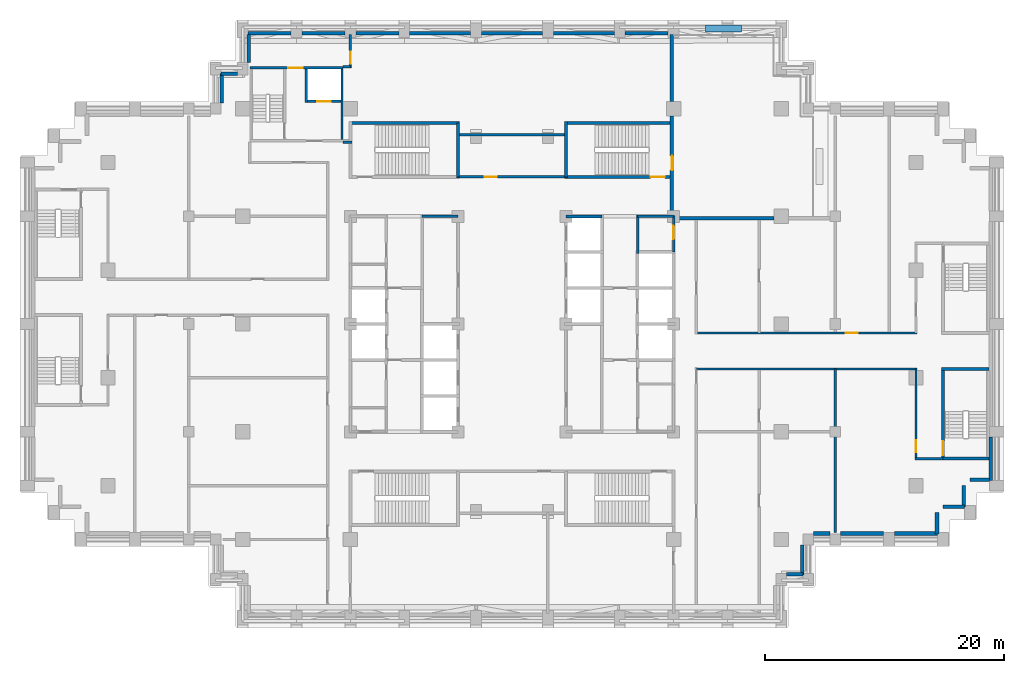
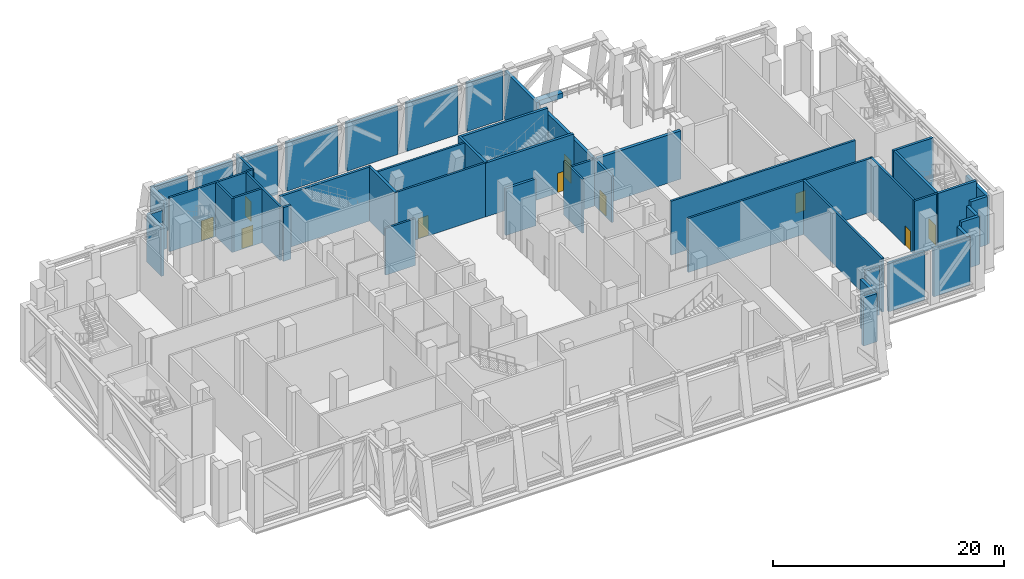
# One storey, part 8 of 14: 51 walls, 10 doors, 10 openings.
"""IFC4 building model written with IfcOpenShell, lengths in metres."""

import ifcopenshell
import ifcopenshell.guid

model = None  # the IFC model being written
_history = None  # IfcOwnerHistory: only IFC2X3 demands one
_inside = {}  # id of a spatial element -> (the spatial element, [elements in it])
_under = {}  # id of a project, library or spatial element -> (it, [spatial elements below it])
_declared = {}  # id of a project -> (the project, [libraries it declares])
_typed = {}  # id of a type object -> (the type object, [elements of that type])
_made_of = {}  # id of a material, layer set ... -> (it, [elements and type objects made of it])


def new_model(schema):
    """Start an empty IFC model of exactly this schema.

    Asked for "IFC4X3", IfcOpenShell would pick the latest addendum, in which some entities
    have other attributes; the version numbers below select the first issue.
    IFC2X3 requires an IfcOwnerHistory on every rooted entity: one is made here for all.
    """
    global model, _history
    if schema == "IFC4X3":
        model = ifcopenshell.file(schema_version=(4, 3, 0, 0))
    else:
        model = ifcopenshell.file(schema=schema)
    _inside.clear()
    _under.clear()
    _declared.clear()
    _typed.clear()
    _made_of.clear()
    _history = None
    if model.schema == "IFC2X3":
        org = make("IfcOrganization", Name="unknown")
        user = make(
            "IfcPersonAndOrganization",
            ThePerson=make("IfcPerson", FamilyName="unknown"),
            TheOrganization=org,
        )
        app = make(
            "IfcApplication",
            ApplicationDeveloper=org,
            Version="unknown",
            ApplicationFullName="unknown",
            ApplicationIdentifier="unknown",
        )
        _history = make(
            "IfcOwnerHistory",
            OwningUser=user,
            OwningApplication=app,
            ChangeAction="ADDED",
            CreationDate=0,
        )
    return model


def make(cls, **values):
    """One entity of the class cls with the attributes given. An attribute that is None is left unset."""
    return model.create_entity(
        cls, **{name: value for name, value in values.items() if value is not None}
    )


def rooted(cls, **values):
    """An entity with a GlobalId (a new one), such as an element, a storey or a relation."""
    return make(cls, GlobalId=ifcopenshell.guid.new(), OwnerHistory=_history, **values)


def si_unit(unit_type, name, prefix=None):
    """IfcSIUnit, for example si_unit("LENGTHUNIT", "METRE", prefix="MILLI")."""
    return make("IfcSIUnit", UnitType=unit_type, Prefix=prefix, Name=name)


def assignment(units):
    """IfcUnitAssignment: the units of a project."""
    return None if units is None else make("IfcUnitAssignment", Units=units)


def point(xyz):
    """IfcCartesianPoint."""
    return None if xyz is None else make("IfcCartesianPoint", Coordinates=xyz)


def direction(xyz):
    """IfcDirection."""
    return None if xyz is None else make("IfcDirection", DirectionRatios=xyz)


def frame(location, z_axis=None, x_axis=None):
    """IfcAxis2Placement3D, a coordinate frame: its origin and axes. An axis left out is left unset."""
    return make(
        "IfcAxis2Placement3D",
        Location=point(location),
        Axis=direction(z_axis),
        RefDirection=direction(x_axis),
    )


def frame_2d(location, x_axis=None):
    """IfcAxis2Placement2D, a coordinate frame in the plane: its origin and x axis."""
    return make(
        "IfcAxis2Placement2D", Location=point(location), RefDirection=direction(x_axis)
    )


def origin():
    """The frame at (0, 0, 0) with its axes left unset."""
    return frame((0.0, 0.0, 0.0))


def place(relative_to, where):
    """IfcLocalPlacement: puts the frame where relative to a parent placement (None: the world)."""
    return make(
        "IfcLocalPlacement", PlacementRelTo=relative_to, RelativePlacement=where
    )


def context(
    kind, dimensions, precision=None, world=None, true_north=None, identifier=None
):
    """IfcGeometricRepresentationContext, for example the 3D "Model" context."""
    return make(
        "IfcGeometricRepresentationContext",
        ContextIdentifier=identifier,
        ContextType=kind,
        CoordinateSpaceDimension=dimensions,
        Precision=precision,
        WorldCoordinateSystem=world,
        TrueNorth=true_north,
    )


def subcontext(parent, identifier, kind, view, scale=None):
    """IfcGeometricRepresentationSubContext, for example "Body" below "Model"."""
    return make(
        "IfcGeometricRepresentationSubContext",
        ContextIdentifier=identifier,
        ContextType=kind,
        ParentContext=parent,
        TargetScale=scale,
        TargetView=view,
    )


def project(units=None, contexts=None):
    """IfcProject with its units and contexts."""
    return rooted(
        "IfcProject",
        Name="project",
        RepresentationContexts=contexts,
        UnitsInContext=assignment(units),
    )


def spatial(cls, under=None, at=None, **own):
    """A site, building, storey or space (cls), placed at a placement, below another one or the project."""
    s = rooted(cls, ObjectPlacement=at, **own)
    if under is not None:
        _under.setdefault(under.id(), (under, []))[1].append(s)
    return s


def profile(cls, at=None, kind="AREA", **sizes):
    """A parametric profile (cls). Its sizes go by their IFC names, for example OverallWidth=200.0."""
    return make(cls, ProfileType=kind, Position=at, **sizes)


def rectangle(**sizes):
    """IfcRectangleProfileDef."""
    return profile("IfcRectangleProfileDef", **sizes)


def extrude(swept, where, along, depth):
    """IfcExtrudedAreaSolid: the profile swept, set in the frame where, extruded along a direction by depth."""
    return make(
        "IfcExtrudedAreaSolid",
        SweptArea=swept,
        Position=where,
        ExtrudedDirection=direction(along),
        Depth=depth,
    )


def shape(context_of_items, identifier, shape_type, items):
    """IfcShapeRepresentation: the items that make up one representation, for example the "Body"."""
    return make(
        "IfcShapeRepresentation",
        ContextOfItems=context_of_items,
        RepresentationIdentifier=identifier,
        RepresentationType=shape_type,
        Items=items,
    )


def material(Name=None, Category=None):
    """IfcMaterial."""
    return make("IfcMaterial", Name=Name, Category=Category)


def layer(
    of_material, thickness, ventilated=None, Name=None, Category=None, Priority=None
):
    """IfcMaterialLayer: one layer of a wall or slab, of a material (None: an air gap)."""
    return make(
        "IfcMaterialLayer",
        Material=of_material,
        LayerThickness=thickness,
        IsVentilated=ventilated,
        Name=Name,
        Category=Category,
        Priority=Priority,
    )


def layer_set(layers, Name=None):
    """IfcMaterialLayerSet."""
    return make("IfcMaterialLayerSet", MaterialLayers=layers, LayerSetName=Name)


def made_of(thing, what):
    """Note that an element or type object is made of a material, layer set ...; save() writes the relation."""
    if what is not None:
        _made_of.setdefault(what.id(), (what, []))[1].append(thing)
    return thing


def type_object(cls, material=None, **own):
    """A type object (cls), such as IfcWallType, which elements share."""
    return made_of(rooted(cls, **own), material)


def element(
    cls,
    number,
    at=None,
    inside=None,
    cuts=None,
    type_object=None,
    material=None,
    context=None,
    identifier="Body",
    shape_type=None,
    held_by="IfcProductDefinitionShape",
    body=None,
    shapes=None,
    **own,
):
    """One element of the class cls, such as IfcWall. Its Tag is "e" and its number.

    at: its placement. inside: the storey or other place that contains it. cuts: it is an
    opening in that element (IfcRelVoidsElement). A single representation is given by context,
    identifier, shape_type and body (its items); several are given by shapes. held_by: the class
    of the entity that holds the representations. save() writes the other relations.
    """
    e = rooted(cls, Tag="e%d" % number, ObjectPlacement=at, **own)
    if body is not None:
        shapes = [shape(context, identifier, shape_type, body)]
    if shapes is not None:
        e.Representation = make(held_by, Representations=shapes)
    if inside is not None:
        _inside.setdefault(inside.id(), (inside, []))[1].append(e)
    if cuts is not None:
        rooted(
            "IfcRelVoidsElement", RelatingBuildingElement=cuts, RelatedOpeningElement=e
        )
    if type_object is not None:
        _typed.setdefault(type_object.id(), (type_object, []))[1].append(e)
    return made_of(e, material)


def fill(opening, filler):
    """IfcRelFillsElement: the door or window that sits in an opening."""
    return rooted(
        "IfcRelFillsElement",
        RelatingOpeningElement=opening,
        RelatedBuildingElement=filler,
    )


def aggregate(whole, parts):
    """IfcRelAggregates: a whole, such as a stair, and the parts it consists of."""
    return rooted("IfcRelAggregates", RelatingObject=whole, RelatedObjects=parts)


def save(model, path):
    """Write the relations noted so far, then the file.

    IfcRelAggregates (storeys below a building ...), IfcRelContainedInSpatialStructure (elements
    in a storey), IfcRelDefinesByType, IfcRelAssociatesMaterial and IfcRelDeclares: one each for
    every whole, place, type object, material and project.
    """
    for whole, parts in _under.values():
        aggregate(whole, parts)
    for where, things in _inside.values():
        rooted(
            "IfcRelContainedInSpatialStructure",
            RelatedElements=things,
            RelatingStructure=where,
        )
    for kind, things in _typed.values():
        rooted("IfcRelDefinesByType", RelatedObjects=things, RelatingType=kind)
    for what, things in _made_of.values():
        rooted("IfcRelAssociatesMaterial", RelatedObjects=things, RelatingMaterial=what)
    for by, libraries in _declared.values():
        rooted("IfcRelDeclares", RelatingContext=by, RelatedDefinitions=libraries)
    model.write(path)


model = new_model("IFC4")

# Units and contexts
model_context = context("Model", 3, precision=1e-05, world=origin(), true_north=direction((0.0, 1.0)))
body_context = subcontext(model_context, "Body", "Model", "MODEL_VIEW")
ifc_project = project(units=[si_unit("LENGTHUNIT", "METRE"), si_unit("AREAUNIT", "SQUARE_METRE"), si_unit("VOLUMEUNIT", "CUBIC_METRE"), si_unit("PLANEANGLEUNIT", "RADIAN"), si_unit("MASSUNIT", "GRAM", prefix="KILO")], contexts=[model_context])

# Site, building, storey
site_placement = place(None, origin())
site = spatial("IfcSite", under=ifc_project, at=site_placement, CompositionType="ELEMENT")
building_placement = place(site_placement, origin())
building = spatial("IfcBuilding", under=site, at=building_placement, Name="Corbelhall Arena Tower", CompositionType="ELEMENT")
storey_placement = place(building_placement, frame((0.0, 0.0, 120.0)))
storey = spatial("IfcBuildingStorey", under=building, at=storey_placement, Name="L22", CompositionType="ELEMENT", Elevation=120.0)

# Walls
ifc_material_1 = material(Name="Precast concrete C40/50 with granite facing", Category="masonry")
ifc_layer_1 = layer(ifc_material_1, 0.300048828125)
ifc_layer_set_1 = layer_set([ifc_layer_1], Name="EV-IW1 Infill panel 300")
wall_type_1 = type_object("IfcWallType", Name="EV-IW1 Infill panel 300", PredefinedType="SOLIDWALL", material=ifc_layer_set_1)
for number, where, z_axis, x_axis, name in (
    (1, (35.5, -17.550048828125, 0.0), (0.0, 0.0, 1.0), (0.0, 1.0, 0.0), "Infill panel IW1"),
    (2, (37.800048828125, -15.25, 0.0), (0.0, 0.0, 1.0), (-1.0, 0.0, 0.0), "Infill panel IW1"),
    (3, (37.75, -15.300048828125, 0.0), (0.0, 0.0, 1.0), (0.0, 1.0, 0.0), "Infill panel IW1"),
):
    element("IfcWall", number, at=place(storey_placement, frame(where, z_axis=z_axis, x_axis=x_axis)), inside=storey, type_object=wall_type_1, Name=name, PredefinedType="SOLIDWALL", context=body_context, shape_type="SweptSolid", body=[
        extrude(rectangle(XDim=1.800048828125, YDim=0.300048828125, at=frame_2d((0.89990234375, 0.0))), origin(), (0.0, 0.0, 1.0), 5.10009765625),
    ])
wall_1_placement = place(storey_placement, frame((39.89990234375, -13.0, 0.0), z_axis=(0.0, 0.0, 1.0), x_axis=(-1.0, 0.0, 0.0)))
element("IfcWall", 4, at=wall_1_placement, inside=storey, type_object=wall_type_1, Name="Infill panel IW1", PredefinedType="SOLIDWALL", context=body_context, shape_type="SweptSolid", body=[
    extrude(rectangle(XDim=1.64990234375, YDim=0.300048828125, at=frame_2d((0.824951171875, 0.0))), origin(), (0.0, 0.0, 1.0), 5.10009765625),
])
wall_2_placement = place(storey_placement, frame((-22.949951171875, 20.89990234375, 0.0), z_axis=(0.0, 0.0, 1.0), x_axis=(-1.0, 0.0, 0.0)))
element("IfcWall", 5, at=wall_2_placement, inside=storey, type_object=wall_type_1, Name="Infill panel IW1", PredefinedType="SOLIDWALL", context=body_context, shape_type="SweptSolid", body=[
    extrude(rectangle(XDim=1.35009765625, YDim=0.300048828125, at=frame_2d((0.675048828125, 0.0))), origin(), (0.0, 0.0, 1.0), 5.10009765625),
])
wall_3_placement = place(storey_placement, frame((-24.25, 20.949951171875, 0.0), z_axis=(0.0, 0.0, 1.0), x_axis=(0.0, -1.0, 0.0)))
element("IfcWall", 6, at=wall_3_placement, inside=storey, type_object=wall_type_1, Name="Infill panel IW1", PredefinedType="SOLIDWALL", context=body_context, shape_type="SweptSolid", body=[
    extrude(rectangle(XDim=2.5, YDim=0.300048828125, at=frame_2d((1.25, 0.0))), origin(), (0.0, 0.0, 1.0), 5.10009765625),
])
wall_4_placement = place(storey_placement, frame((22.949951171875, -20.89990234375, 0.0), z_axis=(0.0, 0.0, 1.0), x_axis=(1.0, 0.0, 0.0)))
element("IfcWall", 7, at=wall_4_placement, inside=storey, type_object=wall_type_1, Name="Infill panel IW1", PredefinedType="SOLIDWALL", context=body_context, shape_type="SweptSolid", body=[
    extrude(rectangle(XDim=1.35009765625, YDim=0.300048828125, at=frame_2d((0.675048828125, 0.0))), origin(), (0.0, 0.0, 1.0), 5.10009765625),
])
wall_5_placement = place(storey_placement, frame((24.25, -20.949951171875, 0.0), z_axis=(0.0, 0.0, 1.0), x_axis=(0.0, 1.0, 0.0)))
element("IfcWall", 8, at=wall_5_placement, inside=storey, type_object=wall_type_1, Name="Infill panel IW1", PredefinedType="SOLIDWALL", context=body_context, shape_type="SweptSolid", body=[
    extrude(rectangle(XDim=2.5, YDim=0.300048828125, at=frame_2d((1.25, 0.0))), origin(), (0.0, 0.0, 1.0), 5.10009765625),
])
wall_6_placement = place(storey_placement, frame((25.199951171875, -17.5, 0.0), z_axis=(0.0, 0.0, 1.0), x_axis=(1.0, 0.0, 0.0)))
element("IfcWall", 9, at=wall_6_placement, inside=storey, type_object=wall_type_1, Name="Infill panel IW1", PredefinedType="SOLIDWALL", context=body_context, shape_type="SweptSolid", body=[
    extrude(rectangle(XDim=1.35009765625, YDim=0.300048828125, at=frame_2d((0.675048828125, 0.0))), origin(), (0.0, 0.0, 1.0), 5.10009765625),
])
for number, where, z_axis, x_axis, name in (
    (10, (27.449951171875, -17.5, 0.0), (0.0, 0.0, 1.0), (1.0, 0.0, 0.0), "Infill panel IW1"),
    (11, (31.949951171875, -17.5, 0.0), (0.0, 0.0, 1.0), (1.0, 0.0, 0.0), "Infill panel IW1"),
    (12, (40.0, -13.050048828125, 0.0), (0.0, 0.0, 1.0), (0.0, 1.0, 0.0), "Infill panel IW1"),
    (13, (13.050048828125, 24.300048828125, 0.0), (0.0, 0.0, 1.0), (-1.0, 0.0, 0.0), "Infill panel IW1"),
):
    element("IfcWall", number, at=place(storey_placement, frame(where, z_axis=z_axis, x_axis=x_axis)), inside=storey, type_object=wall_type_1, Name=name, PredefinedType="SOLIDWALL", context=body_context, shape_type="SweptSolid", body=[
        extrude(rectangle(XDim=3.60009765625, YDim=0.300048828125, at=frame_2d((1.800048828125, 0.0))), origin(), (0.0, 0.0, 1.0), 5.10009765625),
    ])
for number, where, z_axis, x_axis, name in (
    (14, (8.550048828125, 24.300048828125, 0.0), (0.0, 0.0, 1.0), (-1.0, 0.0, 0.0), "Infill panel IW1"),
    (15, (2.550048828125, 24.300048828125, 0.0), (0.0, 0.0, 1.0), (-1.0, 0.0, 0.0), "Infill panel IW1"),
    (16, (-3.449951171875, 24.300048828125, 0.0), (0.0, 0.0, 1.0), (-1.0, 0.0, 0.0), "Infill panel IW1"),
):
    element("IfcWall", number, at=place(storey_placement, frame(where, z_axis=z_axis, x_axis=x_axis)), inside=storey, type_object=wall_type_1, Name=name, PredefinedType="SOLIDWALL", context=body_context, shape_type="SweptSolid", body=[
        extrude(rectangle(XDim=5.10009765625, YDim=0.300048828125, at=frame_2d((2.550048828125, 0.0))), origin(), (0.0, 0.0, 1.0), 5.10009765625),
    ])
for number, where, z_axis, x_axis, name in (
    (17, (-9.449951171875, 24.300048828125, 0.0), (0.0, 0.0, 1.0), (-1.0, 0.0, 0.0), "Infill panel IW1"),
    (18, (-13.949951171875, 24.300048828125, 0.0), (0.0, 0.0, 1.0), (-1.0, 0.0, 0.0), "Infill panel IW1"),
    (19, (-18.449951171875, 24.300048828125, 0.0), (0.0, 0.0, 1.0), (-1.0, 0.0, 0.0), "Infill panel IW1"),
):
    element("IfcWall", number, at=place(storey_placement, frame(where, z_axis=z_axis, x_axis=x_axis)), inside=storey, type_object=wall_type_1, Name=name, PredefinedType="SOLIDWALL", context=body_context, shape_type="SweptSolid", body=[
        extrude(rectangle(XDim=3.60009765625, YDim=0.300048828125, at=frame_2d((1.800048828125, 0.0))), origin(), (0.0, 0.0, 1.0), 5.10009765625),
    ])
wall_7_placement = place(storey_placement, frame((-22.0, 24.199951171875, 0.0), z_axis=(0.0, 0.0, 1.0), x_axis=(0.0, -1.0, 0.0)))
element("IfcWall", 20, at=wall_7_placement, inside=storey, type_object=wall_type_1, Name="Infill panel IW1", PredefinedType="SOLIDWALL", context=body_context, shape_type="SweptSolid", body=[
    extrude(rectangle(XDim=2.349853515625, YDim=0.300048828125, at=frame_2d((1.1748046875, 0.0))), origin(), (0.0, 0.0, 1.0), 5.10009765625),
])

# Wall, opening, door
wall_8_placement = place(storey_placement, frame((13.35009765625, 17.39990234375, 0.0), z_axis=(0.0, 0.0, 1.0), x_axis=(0.0, -1.0, 0.0)))
wall_8 = element("IfcWall", 21, at=wall_8_placement, inside=storey, type_object=wall_type_1, Name="Infill panel IW1", PredefinedType="SOLIDWALL", context=body_context, shape_type="SweptSolid", body=[
    extrude(rectangle(XDim=8.349853515625, YDim=0.300048828125, at=frame_2d((4.1748046875, 0.0))), origin(), (0.0, 0.0, 1.0), 5.10009765625),
])
opening_1_placement = place(wall_8_placement, frame((3.35009765625, 0.0, 0.0)))
opening_1 = element("IfcOpeningElement", 22, at=opening_1_placement, cuts=wall_8, Name="Opening ED1", PredefinedType="OPENING", context=body_context, shape_type="SweptSolid", body=[
    extrude(rectangle(XDim=1.199951171875, YDim=2.39990234375, at=frame_2d((0.60009765625, 1.199951171875))), frame((0.0, 0.14990234375, 0.0), z_axis=(0.0, -1.0, 0.0), x_axis=(1.0, 0.0, 0.0)), (0.0, 0.0, 1.0), 0.300048828125),
])
ifc_material_2 = material(Name="Aluminium black anodised", Category="aluminium")
door_type_1 = type_object("IfcDoorType", Name="EV-ED1 Terrace door", OperationType="SINGLE_SWING_LEFT", PredefinedType="DOOR", material=ifc_material_2)
door_1_placement = place(opening_1_placement, origin())
door_1 = element("IfcDoor", 23, at=door_1_placement, inside=storey, type_object=door_type_1, Name="Terrace door", OperationType="SINGLE_SWING_LEFT", OverallHeight=2.39990234375, OverallWidth=1.199951171875, PredefinedType="DOOR", context=body_context, shape_type="SweptSolid", body=[
    extrude(rectangle(XDim=1.199951171875, YDim=2.39990234375, at=frame_2d((0.60009765625, 1.199951171875))), frame((0.0, 0.02490234375, 0.0), z_axis=(0.0, -1.0, 0.0), x_axis=(1.0, 0.0, 0.0)), (0.0, 0.0, 1.0), 0.050048828125),
])
fill(opening_1, door_1)

# Walls
wall_9_placement = place(storey_placement, frame((13.35009765625, 18.60009765625, 0.0), z_axis=(0.0, 0.0, 1.0), x_axis=(0.0, 1.0, 0.0)))
element("IfcWall", 24, at=wall_9_placement, inside=storey, type_object=wall_type_1, Name="Infill panel IW1", PredefinedType="SOLIDWALL", context=body_context, shape_type="SweptSolid", body=[
    extrude(rectangle(XDim=5.599853515625, YDim=0.300048828125, at=frame_2d((2.7998046875, 0.0))), origin(), (0.0, 0.0, 1.0), 5.10009765625),
])
wall_10_placement = place(storey_placement, frame((21.89990234375, 8.85009765625, 0.0), z_axis=(0.0, 0.0, 1.0), x_axis=(-1.0, 0.0, 0.0)))
element("IfcWall", 25, at=wall_10_placement, inside=storey, type_object=wall_type_1, Name="Infill panel IW1", PredefinedType="SOLIDWALL", context=body_context, shape_type="SweptSolid", body=[
    extrude(rectangle(XDim=8.349853515625, YDim=0.300048828125, at=frame_2d((4.1748046875, 0.0))), origin(), (0.0, 0.0, 1.0), 5.10009765625),
])
ifc_layer_2 = layer(ifc_material_1, 0.60009765625)
ifc_layer_set_2 = layer_set([ifc_layer_2], Name="EV-PL1 Planter box")
wall_type_2 = type_object("IfcWallType", Name="EV-PL1 Planter box", PredefinedType="SOLIDWALL", material=ifc_layer_set_2)
wall_11_placement = place(storey_placement, frame((16.169921875, 24.68994140625, 0.0), z_axis=(0.0, 0.0, 1.0), x_axis=(1.0, 0.0, 0.0)))
element("IfcWall", 26, at=wall_11_placement, inside=storey, type_object=wall_type_2, Name="PLANTER", PredefinedType="SOLIDWALL", context=body_context, shape_type="SweptSolid", body=[
    extrude(rectangle(XDim=3.0, YDim=0.60009765625, at=frame_2d((1.5, 0.0))), origin(), (0.0, 0.0, 1.0), 0.5400390625),
])
ifc_material_3 = material(Name="Gypsum board on steel stud, acoustic", Category="steel")
ifc_layer_3 = layer(ifc_material_3, 0.199951171875)
ifc_layer_set_3 = layer_set([ifc_layer_3], Name="IN-W-DM200")
wall_type_3 = type_object("IfcWallType", Name="IN-W-DM200", PredefinedType="PARTITIONING", material=ifc_layer_set_3)
wall_12_placement = place(storey_placement, frame((-14.10009765625, 15.199951171875, 0.0), z_axis=(0.0, 0.0, 1.0), x_axis=(1.0, 0.0, 0.0)))
element("IfcWall", 27, at=wall_12_placement, inside=storey, type_object=wall_type_3, Name="Partition 018", PredefinedType="PARTITIONING", context=body_context, shape_type="SweptSolid", body=[
    extrude(rectangle(XDim=0.72509765625, YDim=0.199951171875, at=frame_2d((0.362548828125, 0.0))), origin(), (0.0, 0.0, 1.0), 5.699951171875),
])
wall_13_placement = place(storey_placement, frame((-13.5, 21.5, 0.0), z_axis=(0.0, 0.0, 1.0), x_axis=(-1.0, 0.0, 0.0)))
element("IfcWall", 28, at=wall_13_placement, inside=storey, type_object=wall_type_3, Name="Partition 020", PredefinedType="PARTITIONING", context=body_context, shape_type="SweptSolid", body=[
    extrude(rectangle(XDim=0.60009765625, YDim=0.199951171875, at=frame_2d((0.300048828125, 0.0))), origin(), (0.0, 0.0, 1.0), 5.699951171875),
])

# Wall, opening, door
wall_14_placement = place(storey_placement, frame((-13.5, 24.199951171875, 0.0), z_axis=(0.0, 0.0, 1.0), x_axis=(0.0, -1.0, 0.0)))
wall_14 = element("IfcWall", 29, at=wall_14_placement, inside=storey, type_object=wall_type_3, Name="Partition 021", PredefinedType="PARTITIONING", context=body_context, shape_type="SweptSolid", body=[
    extrude(rectangle(XDim=2.800048828125, YDim=0.199951171875, at=frame_2d((1.39990234375, 0.0))), origin(), (0.0, 0.0, 1.0), 5.699951171875),
])
opening_2_placement = place(wall_14_placement, frame((1.449951171875, 0.0, 0.0)))
opening_2 = element("IfcOpeningElement", 30, at=opening_2_placement, cuts=wall_14, Name="Opening 26024", PredefinedType="OPENING", context=body_context, shape_type="SweptSolid", body=[
    extrude(rectangle(XDim=1.0, YDim=2.10009765625, at=frame_2d((0.5, 1.050048828125))), frame((0.0, 0.10009765625, 0.0), z_axis=(0.0, -1.0, 0.0), x_axis=(1.0, 0.0, 0.0)), (0.0, 0.0, 1.0), 0.199951171875),
])
ifc_material_4 = material(Name="Steel door set", Category="steel")
door_type_2 = type_object("IfcDoorType", Name="IN-D-SW100", OperationType="NOTDEFINED", PredefinedType="DOOR", material=ifc_material_4)
door_2_placement = place(opening_2_placement, origin())
door_2 = element("IfcDoor", 31, at=door_2_placement, inside=storey, type_object=door_type_2, Name="Door 024", OperationType="SINGLE_SWING_LEFT", OverallHeight=2.10009765625, OverallWidth=1.0, PredefinedType="DOOR", context=body_context, shape_type="SweptSolid", body=[
    extrude(rectangle(XDim=1.0, YDim=2.10009765625, at=frame_2d((0.5, 1.050048828125))), frame((0.0, 0.02490234375, 0.0), z_axis=(0.0, -1.0, 0.0), x_axis=(1.0, 0.0, 0.0)), (0.0, 0.0, 1.0), 0.050048828125),
])
fill(opening_2, door_2)

wall_15_placement = place(storey_placement, frame((-4.625, 12.300048828125, 0.0), z_axis=(0.0, 0.0, 1.0), x_axis=(1.0, 0.0, 0.0)))
wall_15 = element("IfcWall", 32, at=wall_15_placement, inside=storey, type_object=wall_type_3, Name="Partition 022", PredefinedType="PARTITIONING", context=body_context, shape_type="SweptSolid", body=[
    extrude(rectangle(XDim=9.25, YDim=0.199951171875, at=frame_2d((4.625, 0.0))), origin(), (0.0, 0.0, 1.0), 5.699951171875),
])
opening_3_placement = place(wall_15_placement, frame((2.35009765625, 0.0, 0.0)))
opening_3 = element("IfcOpeningElement", 33, at=opening_3_placement, cuts=wall_15, Name="Opening 26022", PredefinedType="OPENING", context=body_context, shape_type="SweptSolid", body=[
    extrude(rectangle(XDim=1.0, YDim=2.10009765625, at=frame_2d((0.5, 1.050048828125))), frame((0.0, 0.10009765625, 0.0), z_axis=(0.0, -1.0, 0.0), x_axis=(1.0, 0.0, 0.0)), (0.0, 0.0, 1.0), 0.199951171875),
])
door_3_placement = place(opening_3_placement, origin())
door_3 = element("IfcDoor", 34, at=door_3_placement, inside=storey, type_object=door_type_2, Name="Door 022", OperationType="SINGLE_SWING_LEFT", OverallHeight=2.10009765625, OverallWidth=1.0, PredefinedType="DOOR", context=body_context, shape_type="SweptSolid", body=[
    extrude(rectangle(XDim=1.0, YDim=2.10009765625, at=frame_2d((0.5, 1.050048828125))), frame((0.0, 0.02490234375, 0.0), z_axis=(0.0, -1.0, 0.0), x_axis=(1.0, 0.0, 0.0)), (0.0, 0.0, 1.0), 0.050048828125),
])
fill(opening_3, door_3)

# Wall
wall_16_placement = place(storey_placement, frame((-4.5, 15.800048828125, 0.0), z_axis=(0.0, 0.0, 1.0), x_axis=(1.0, 0.0, 0.0)))
element("IfcWall", 35, at=wall_16_placement, inside=storey, type_object=wall_type_3, Name="Partition 023", PredefinedType="PARTITIONING", context=body_context, shape_type="SweptSolid", body=[
    extrude(rectangle(XDim=9.0, YDim=0.199951171875, at=frame_2d((4.5, 0.0))), origin(), (0.0, 0.0, 1.0), 5.699951171875),
])

# Wall, opening, door
wall_17_placement = place(storey_placement, frame((15.39990234375, -0.75, 0.0), z_axis=(0.0, 0.0, 1.0), x_axis=(1.0, 0.0, 0.0)))
wall_17 = element("IfcWall", 36, at=wall_17_placement, inside=storey, type_object=wall_type_3, Name="Partition 030", PredefinedType="PARTITIONING", context=body_context, shape_type="SweptSolid", body=[
    extrude(rectangle(XDim=18.4501953125, YDim=0.199951171875, at=frame_2d((9.22509765625, 0.0))), origin(), (0.0, 0.0, 1.0), 5.699951171875),
])
opening_4_placement = place(wall_17_placement, frame((12.5, 0.0, 0.0)))
opening_4 = element("IfcOpeningElement", 37, at=opening_4_placement, cuts=wall_17, Name="Opening 26042", PredefinedType="OPENING", context=body_context, shape_type="SweptSolid", body=[
    extrude(rectangle(XDim=1.0, YDim=2.10009765625, at=frame_2d((0.5, 1.050048828125))), frame((0.0, 0.10009765625, 0.0), z_axis=(0.0, -1.0, 0.0), x_axis=(1.0, 0.0, 0.0)), (0.0, 0.0, 1.0), 0.199951171875),
])
door_4_placement = place(opening_4_placement, origin())
door_4 = element("IfcDoor", 38, at=door_4_placement, inside=storey, type_object=door_type_2, Name="Door 042", OperationType="SINGLE_SWING_LEFT", OverallHeight=2.10009765625, OverallWidth=1.0, PredefinedType="DOOR", context=body_context, shape_type="SweptSolid", body=[
    extrude(rectangle(XDim=1.0, YDim=2.10009765625, at=frame_2d((0.5, 1.050048828125))), frame((0.0, 0.02490234375, 0.0), z_axis=(0.0, -1.0, 0.0), x_axis=(1.0, 0.0, 0.0)), (0.0, 0.0, 1.0), 0.050048828125),
])
fill(opening_4, door_4)

# Walls
wall_18_placement = place(storey_placement, frame((33.85009765625, -3.75, 0.0), z_axis=(0.0, 0.0, 1.0), x_axis=(-1.0, 0.0, 0.0)))
element("IfcWall", 39, at=wall_18_placement, inside=storey, type_object=wall_type_3, Name="Partition 034", PredefinedType="PARTITIONING", context=body_context, shape_type="SweptSolid", body=[
    extrude(rectangle(XDim=18.4501953125, YDim=0.199951171875, at=frame_2d((9.22509765625, 0.0))), origin(), (0.0, 0.0, 1.0), 5.699951171875),
])
wall_19_placement = place(storey_placement, frame((27.0, -3.75, 0.0), z_axis=(0.0, 0.0, 1.0), x_axis=(0.0, -1.0, 0.0)))
element("IfcWall", 40, at=wall_19_placement, inside=storey, type_object=wall_type_3, Name="Partition 035", PredefinedType="PARTITIONING", context=body_context, shape_type="SweptSolid", body=[
    extrude(rectangle(XDim=13.64990234375, YDim=0.199951171875, at=frame_2d((6.824951171875, 0.0))), origin(), (0.0, 0.0, 1.0), 5.699951171875),
])

# Wall, opening, door
wall_20_placement = place(storey_placement, frame((33.75, -11.25, 0.0), z_axis=(0.0, 0.0, 1.0), x_axis=(0.0, 1.0, 0.0)))
wall_20 = element("IfcWall", 41, at=wall_20_placement, inside=storey, type_object=wall_type_3, Name="Partition 039", PredefinedType="PARTITIONING", context=body_context, shape_type="SweptSolid", body=[
    extrude(rectangle(XDim=7.5, YDim=0.199951171875, at=frame_2d((3.75, 0.0))), origin(), (0.0, 0.0, 1.0), 5.699951171875),
])
opening_5_placement = place(wall_20_placement, frame((0.550048828125, 0.0, 0.0)))
opening_5 = element("IfcOpeningElement", 42, at=opening_5_placement, cuts=wall_20, Name="Opening 26044", PredefinedType="OPENING", context=body_context, shape_type="SweptSolid", body=[
    extrude(rectangle(XDim=1.0, YDim=2.10009765625, at=frame_2d((0.5, 1.050048828125))), frame((0.0, 0.10009765625, 0.0), z_axis=(0.0, -1.0, 0.0), x_axis=(1.0, 0.0, 0.0)), (0.0, 0.0, 1.0), 0.199951171875),
])
door_5_placement = place(opening_5_placement, origin())
door_5 = element("IfcDoor", 43, at=door_5_placement, inside=storey, type_object=door_type_2, Name="Door 044", OperationType="SINGLE_SWING_LEFT", OverallHeight=2.10009765625, OverallWidth=1.0, PredefinedType="DOOR", context=body_context, shape_type="SweptSolid", body=[
    extrude(rectangle(XDim=1.0, YDim=2.10009765625, at=frame_2d((0.5, 1.050048828125))), frame((0.0, 0.02490234375, 0.0), z_axis=(0.0, -1.0, 0.0), x_axis=(1.0, 0.0, 0.0)), (0.0, 0.0, 1.0), 0.050048828125),
])
fill(opening_5, door_5)

# Wall
wall_21_placement = place(storey_placement, frame((36.0, -11.25, 0.0), z_axis=(0.0, 0.0, 1.0), x_axis=(-1.0, 0.0, 0.0)))
element("IfcWall", 44, at=wall_21_placement, inside=storey, type_object=wall_type_3, Name="Partition 041", PredefinedType="PARTITIONING", context=body_context, shape_type="SweptSolid", body=[
    extrude(rectangle(XDim=2.35009765625, YDim=0.199951171875, at=frame_2d((1.175048828125, 0.0))), origin(), (0.0, 0.0, 1.0), 5.699951171875),
])

# Wall, opening, door
ifc_material_5 = material(Name="Concrete C40/50", Category="concrete")
ifc_layer_4 = layer(ifc_material_5, 0.199951171875)
ifc_layer_set_4 = layer_set([ifc_layer_4], Name="IN-W-EAR200")
wall_type_4 = type_object("IfcWallType", Name="IN-W-EAR200", PredefinedType="SOLIDWALL", material=ifc_layer_set_4)
wall_22_placement = place(storey_placement, frame((-21.89990234375, 21.39990234375, 0.0), z_axis=(0.0, 0.0, 1.0), x_axis=(1.0, 0.0, 0.0)))
wall_22 = element("IfcWall", 45, at=wall_22_placement, inside=storey, type_object=wall_type_4, Name="Fire service turret wall north", PredefinedType="SOLIDWALL", context=body_context, shape_type="SweptSolid", body=[
    extrude(rectangle(XDim=7.7998046875, YDim=0.199951171875, at=frame_2d((3.89990234375, 0.0))), origin(), (0.0, 0.0, 1.0), 5.699951171875),
])
opening_6_placement = place(wall_22_placement, frame((3.199951171875, 0.0, 0.0)))
opening_6 = element("IfcOpeningElement", 46, at=opening_6_placement, cuts=wall_22, Name="Opening E263", PredefinedType="OPENING", context=body_context, shape_type="SweptSolid", body=[
    extrude(rectangle(XDim=1.199951171875, YDim=2.10009765625, at=frame_2d((0.60009765625, 1.050048828125))), frame((0.0, 0.10009765625, 0.0), z_axis=(0.0, -1.0, 0.0), x_axis=(1.0, 0.0, 0.0)), (0.0, 0.0, 1.0), 0.199951171875),
])
door_type_3 = type_object("IfcDoorType", Name="IN-D-ST120", OperationType="NOTDEFINED", PredefinedType="DOOR", material=ifc_material_4)
door_6_placement = place(opening_6_placement, origin())
door_6 = element("IfcDoor", 47, at=door_6_placement, inside=storey, type_object=door_type_3, Name="Door from fire service lift lobby to the north gallery", OperationType="SINGLE_SWING_LEFT", OverallHeight=2.10009765625, OverallWidth=1.199951171875, PredefinedType="DOOR", context=body_context, shape_type="SweptSolid", body=[
    extrude(rectangle(XDim=1.199951171875, YDim=2.10009765625, at=frame_2d((0.60009765625, 1.050048828125))), frame((0.0, 0.02490234375, 0.0), z_axis=(0.0, -1.0, 0.0), x_axis=(1.0, 0.0, 0.0)), (0.0, 0.0, 1.0), 0.050048828125),
])
fill(opening_6, door_6)

# Walls
wall_23_placement = place(storey_placement, frame((-14.199951171875, 15.39990234375, 0.0), z_axis=(0.0, 0.0, 1.0), x_axis=(0.0, 1.0, 0.0)))
element("IfcWall", 48, at=wall_23_placement, inside=storey, type_object=wall_type_4, Name="Fire service turret wall east", PredefinedType="SOLIDWALL", context=body_context, shape_type="SweptSolid", body=[
    extrude(rectangle(XDim=5.900146484375, YDim=0.199951171875, at=frame_2d((2.9501953125, 0.0))), origin(), (0.0, 0.0, 1.0), 5.699951171875),
])
wall_24_placement = place(storey_placement, frame((-17.199951171875, 18.5, 0.0), z_axis=(0.0, 0.0, 1.0), x_axis=(0.0, 1.0, 0.0)))
element("IfcWall", 49, at=wall_24_placement, inside=storey, type_object=wall_type_4, Name="Fire service turret wall hoistway west", PredefinedType="SOLIDWALL", context=body_context, shape_type="SweptSolid", body=[
    extrude(rectangle(XDim=2.800048828125, YDim=0.199951171875, at=frame_2d((1.39990234375, 0.0))), origin(), (0.0, 0.0, 1.0), 5.699951171875),
])

# Wall, opening, door
wall_25_placement = place(storey_placement, frame((-17.10009765625, 18.60009765625, 0.0), z_axis=(0.0, 0.0, 1.0), x_axis=(1.0, 0.0, 0.0)))
wall_25 = element("IfcWall", 50, at=wall_25_placement, inside=storey, type_object=wall_type_4, Name="Fire service turret wall hoistway south", PredefinedType="SOLIDWALL", context=body_context, shape_type="SweptSolid", body=[
    extrude(rectangle(XDim=2.800048828125, YDim=0.199951171875, at=frame_2d((1.39990234375, 0.0))), origin(), (0.0, 0.0, 1.0), 5.699951171875),
])
opening_7_placement = place(wall_25_placement, frame((0.85009765625, 0.0, 0.0)))
opening_7 = element("IfcOpeningElement", 51, at=opening_7_placement, cuts=wall_25, Name="Opening LD", PredefinedType="OPENING", context=body_context, shape_type="SweptSolid", body=[
    extrude(rectangle(XDim=1.10009765625, YDim=2.10009765625, at=frame_2d((0.550048828125, 1.050048828125))), frame((0.0, 0.10009765625, 0.0), z_axis=(0.0, -1.0, 0.0), x_axis=(1.0, 0.0, 0.0)), (0.0, 0.0, 1.0), 0.199951171875),
])
door_type_4 = type_object("IfcDoorType", Name="IN-D-LD110", OperationType="NOTDEFINED", PredefinedType="DOOR", material=ifc_material_4)
door_7_placement = place(opening_7_placement, origin())
door_7 = element("IfcDoor", 52, at=door_7_placement, inside=storey, type_object=door_type_4, Name="Landing door FS1", OperationType="SLIDING_TO_LEFT", OverallHeight=2.10009765625, OverallWidth=1.10009765625, PredefinedType="DOOR", context=body_context, shape_type="SweptSolid", body=[
    extrude(rectangle(XDim=1.10009765625, YDim=2.10009765625, at=frame_2d((0.550048828125, 1.050048828125))), frame((0.0, 0.02490234375, 0.0), z_axis=(0.0, -1.0, 0.0), x_axis=(1.0, 0.0, 0.0)), (0.0, 0.0, 1.0), 0.050048828125),
])
fill(opening_7, door_7)

# Walls
ifc_material_6 = material(Name="Concrete block wall", Category="concrete")
ifc_layer_5 = layer(ifc_material_6, 0.199951171875)
ifc_layer_set_5 = layer_set([ifc_layer_5], Name="IN-W-RS200")
wall_type_5 = type_object("IfcWallType", Name="IN-W-RS200", PredefinedType="SOLIDWALL", material=ifc_layer_set_5)
wall_26_placement = place(storey_placement, frame((10.5, 9.10009765625, 0.0), z_axis=(0.0, 0.0, 1.0), x_axis=(0.0, -1.0, 0.0)))
element("IfcWall", 53, at=wall_26_placement, inside=storey, type_object=wall_type_5, Name="Partition 055", PredefinedType="SOLIDWALL", context=body_context, shape_type="SweptSolid", body=[
    extrude(rectangle(XDim=3.22509765625, YDim=0.199951171875, at=frame_2d((1.612548828125, 0.0))), origin(), (0.0, 0.0, 1.0), 5.699951171875),
])
ifc_layer_6 = layer(ifc_material_6, 0.199951171875)
ifc_layer_set_6 = layer_set([ifc_layer_6], Name="IN-W-RS200 under beam 762 mm")
wall_type_6 = type_object("IfcWallType", Name="IN-W-RS200 under beam 762 mm", PredefinedType="SOLIDWALL", material=ifc_layer_set_6)
for number, where, z_axis, x_axis, name in (
    (54, (-7.5, 9.0, 0.0), (0.0, 0.0, 1.0), (1.0, 0.0, 0.0), "Partition 048"),
    (55, (10.5, 9.0, 0.0), (0.0, 0.0, 1.0), (1.0, 0.0, 0.0), "Partition 054"),
):
    element("IfcWall", number, at=place(storey_placement, frame(where, z_axis=z_axis, x_axis=x_axis)), inside=storey, type_object=wall_type_6, Name=name, PredefinedType="SOLIDWALL", context=body_context, shape_type="SweptSolid", body=[
        extrude(rectangle(XDim=3.0, YDim=0.199951171875, at=frame_2d((1.5, 0.0))), origin(), (0.0, 0.0, 1.0), 4.93798828125),
    ])

# Wall, opening, door
wall_27_placement = place(storey_placement, frame((13.5, 9.050048828125, 0.0), z_axis=(0.0, 0.0, 1.0), x_axis=(0.0, -1.0, 0.0)))
wall_27 = element("IfcWall", 56, at=wall_27_placement, inside=storey, type_object=wall_type_6, Name="Partition 057", PredefinedType="SOLIDWALL", context=body_context, shape_type="SweptSolid", body=[
    extrude(rectangle(XDim=3.050048828125, YDim=0.199951171875, at=frame_2d((1.52490234375, 0.0))), origin(), (0.0, 0.0, 1.0), 4.93798828125),
])
opening_8_placement = place(wall_27_placement, frame((0.85009765625, 0.0, 0.0)))
opening_8 = element("IfcOpeningElement", 57, at=opening_8_placement, cuts=wall_27, Name="Opening 26013", PredefinedType="OPENING", context=body_context, shape_type="SweptSolid", body=[
    extrude(rectangle(XDim=1.10009765625, YDim=2.10009765625, at=frame_2d((0.550048828125, 1.050048828125))), frame((0.0, 0.10009765625, 0.0), z_axis=(0.0, -1.0, 0.0), x_axis=(1.0, 0.0, 0.0)), (0.0, 0.0, 1.0), 0.199951171875),
])
door_type_5 = type_object("IfcDoorType", Name="IN-D-FD110", OperationType="NOTDEFINED", PredefinedType="DOOR", material=ifc_material_4)
door_8_placement = place(opening_8_placement, origin())
door_8 = element("IfcDoor", 58, at=door_8_placement, inside=storey, type_object=door_type_5, Name="Door 013", OperationType="SINGLE_SWING_RIGHT", OverallHeight=2.10009765625, OverallWidth=1.10009765625, PredefinedType="DOOR", context=body_context, shape_type="SweptSolid", body=[
    extrude(rectangle(XDim=1.10009765625, YDim=2.10009765625, at=frame_2d((0.550048828125, 1.050048828125))), frame((0.0, 0.02490234375, 0.0), z_axis=(0.0, -1.0, 0.0), x_axis=(1.0, 0.0, 0.0)), (0.0, 0.0, 1.0), 0.050048828125),
])
fill(opening_8, door_8)

# Walls
ifc_layer_7 = layer(ifc_material_5, 0.25)
ifc_layer_set_7 = layer_set([ifc_layer_7], Name="IN-W-SH250 under beam 762 mm")
wall_type_7 = type_object("IfcWallType", Name="IN-W-SH250 under beam 762 mm", PredefinedType="SOLIDWALL", material=ifc_layer_set_7)
wall_28_placement = place(storey_placement, frame((4.5, 9.0, 0.0), z_axis=(0.0, 0.0, 1.0), x_axis=(1.0, 0.0, 0.0)))
element("IfcWall", 59, at=wall_28_placement, inside=storey, type_object=wall_type_7, Name="Shaft wall 072", PredefinedType="SOLIDWALL", context=body_context, shape_type="SweptSolid", body=[
    extrude(rectangle(XDim=3.0, YDim=0.25, at=frame_2d((1.5, 0.0))), origin(), (0.0, 0.0, 1.0), 4.93798828125),
])
ifc_layer_8 = layer(ifc_material_5, 0.25)
ifc_layer_set_8 = layer_set([ifc_layer_8], Name="IN-W-ST250")
wall_type_8 = type_object("IfcWallType", Name="IN-W-ST250", PredefinedType="SOLIDWALL", material=ifc_layer_set_8)
wall_29_placement = place(storey_placement, frame((-13.5, 16.800048828125, 0.0), z_axis=(0.0, 0.0, 1.0), x_axis=(1.0, 0.0, 0.0)))
element("IfcWall", 60, at=wall_29_placement, inside=storey, type_object=wall_type_8, Name="Shaft wall 088", PredefinedType="SOLIDWALL", context=body_context, shape_type="SweptSolid", body=[
    extrude(rectangle(XDim=9.125, YDim=0.25, at=frame_2d((4.5625, 0.0))), origin(), (0.0, 0.0, 1.0), 5.699951171875),
])
wall_30_placement = place(storey_placement, frame((-4.5, 16.800048828125, 0.0), z_axis=(0.0, 0.0, 1.0), x_axis=(0.0, -1.0, 0.0)))
element("IfcWall", 61, at=wall_30_placement, inside=storey, type_object=wall_type_8, Name="Shaft wall 091", PredefinedType="SOLIDWALL", context=body_context, shape_type="SweptSolid", body=[
    extrude(rectangle(XDim=4.5, YDim=0.25, at=frame_2d((2.25, 0.0))), origin(), (0.0, 0.0, 1.0), 5.699951171875),
])

# Wall, opening, door
wall_31_placement = place(storey_placement, frame((4.375, 12.300048828125, 0.0), z_axis=(0.0, 0.0, 1.0), x_axis=(1.0, 0.0, 0.0)))
wall_31 = element("IfcWall", 62, at=wall_31_placement, inside=storey, type_object=wall_type_8, Name="Shaft wall 093", PredefinedType="SOLIDWALL", context=body_context, shape_type="SweptSolid", body=[
    extrude(rectangle(XDim=8.824951171875, YDim=0.25, at=frame_2d((4.41259765625, 0.0))), origin(), (0.0, 0.0, 1.0), 5.699951171875),
])
opening_9_placement = place(wall_31_placement, frame((7.199951171875, 0.0, 0.0)))
opening_9 = element("IfcOpeningElement", 63, at=opening_9_placement, cuts=wall_31, Name="Opening 26016", PredefinedType="OPENING", context=body_context, shape_type="SweptSolid", body=[
    extrude(rectangle(XDim=1.199951171875, YDim=2.10009765625, at=frame_2d((0.60009765625, 1.050048828125))), frame((0.0, 0.125, 0.0), z_axis=(0.0, -1.0, 0.0), x_axis=(1.0, 0.0, 0.0)), (0.0, 0.0, 1.0), 0.25),
])
door_9_placement = place(opening_9_placement, origin())
door_9 = element("IfcDoor", 64, at=door_9_placement, inside=storey, type_object=door_type_3, Name="Door 016", OperationType="SINGLE_SWING_LEFT", OverallHeight=2.10009765625, OverallWidth=1.199951171875, PredefinedType="DOOR", context=body_context, shape_type="SweptSolid", body=[
    extrude(rectangle(XDim=1.199951171875, YDim=2.10009765625, at=frame_2d((0.60009765625, 1.050048828125))), frame((0.0, 0.02490234375, 0.0), z_axis=(0.0, -1.0, 0.0), x_axis=(1.0, 0.0, 0.0)), (0.0, 0.0, 1.0), 0.050048828125),
])
fill(opening_9, door_9)

# Walls
wall_32_placement = place(storey_placement, frame((4.5, 12.300048828125, 0.0), z_axis=(0.0, 0.0, 1.0), x_axis=(0.0, 1.0, 0.0)))
element("IfcWall", 65, at=wall_32_placement, inside=storey, type_object=wall_type_8, Name="Shaft wall 095", PredefinedType="SOLIDWALL", context=body_context, shape_type="SweptSolid", body=[
    extrude(rectangle(XDim=4.625, YDim=0.25, at=frame_2d((2.3125, 0.0))), origin(), (0.0, 0.0, 1.0), 5.699951171875),
])
wall_33_placement = place(storey_placement, frame((4.5, 16.800048828125, 0.0), z_axis=(0.0, 0.0, 1.0), x_axis=(1.0, 0.0, 0.0)))
element("IfcWall", 66, at=wall_33_placement, inside=storey, type_object=wall_type_8, Name="Shaft wall 096", PredefinedType="SOLIDWALL", context=body_context, shape_type="SweptSolid", body=[
    extrude(rectangle(XDim=8.699951171875, YDim=0.25, at=frame_2d((4.35009765625, 0.0))), origin(), (0.0, 0.0, 1.0), 5.699951171875),
])

# Wall, opening, door
wall_34_placement = place(storey_placement, frame((36.0, -11.375, 0.0), z_axis=(0.0, 0.0, 1.0), x_axis=(0.0, 1.0, 0.0)))
wall_34 = element("IfcWall", 67, at=wall_34_placement, inside=storey, type_object=wall_type_8, Name="Shaft wall 101", PredefinedType="SOLIDWALL", context=body_context, shape_type="SweptSolid", body=[
    extrude(rectangle(XDim=7.625, YDim=0.25, at=frame_2d((3.8125, 0.0))), origin(), (0.0, 0.0, 1.0), 5.699951171875),
])
opening_10_placement = place(wall_34_placement, frame((0.39990234375, 0.0, 0.0)))
opening_10 = element("IfcOpeningElement", 68, at=opening_10_placement, cuts=wall_34, Name="Opening 26020", PredefinedType="OPENING", context=body_context, shape_type="SweptSolid", body=[
    extrude(rectangle(XDim=1.199951171875, YDim=2.10009765625, at=frame_2d((0.60009765625, 1.050048828125))), frame((0.0, 0.125, 0.0), z_axis=(0.0, -1.0, 0.0), x_axis=(1.0, 0.0, 0.0)), (0.0, 0.0, 1.0), 0.25),
])
door_10_placement = place(opening_10_placement, origin())
door_10 = element("IfcDoor", 69, at=door_10_placement, inside=storey, type_object=door_type_3, Name="Door 020", OperationType="SINGLE_SWING_LEFT", OverallHeight=2.10009765625, OverallWidth=1.199951171875, PredefinedType="DOOR", context=body_context, shape_type="SweptSolid", body=[
    extrude(rectangle(XDim=1.199951171875, YDim=2.10009765625, at=frame_2d((0.60009765625, 1.050048828125))), frame((0.0, 0.02490234375, 0.0), z_axis=(0.0, -1.0, 0.0), x_axis=(1.0, 0.0, 0.0)), (0.0, 0.0, 1.0), 0.050048828125),
])
fill(opening_10, door_10)

# Walls
wall_35_placement = place(storey_placement, frame((39.85009765625, -11.25, 0.0), z_axis=(0.0, 0.0, 1.0), x_axis=(-1.0, 0.0, 0.0)))
element("IfcWall", 70, at=wall_35_placement, inside=storey, type_object=wall_type_8, Name="Shaft wall 104", PredefinedType="SOLIDWALL", context=body_context, shape_type="SweptSolid", body=[
    extrude(rectangle(XDim=3.85009765625, YDim=0.25, at=frame_2d((1.925048828125, 0.0))), origin(), (0.0, 0.0, 1.0), 5.699951171875),
])
wall_36_placement = place(storey_placement, frame((39.85009765625, -3.75, 0.0), z_axis=(0.0, 0.0, 1.0), x_axis=(-1.0, 0.0, 0.0)))
element("IfcWall", 71, at=wall_36_placement, inside=storey, type_object=wall_type_8, Name="Shaft wall 105", PredefinedType="SOLIDWALL", context=body_context, shape_type="SweptSolid", body=[
    extrude(rectangle(XDim=3.97509765625, YDim=0.25, at=frame_2d((1.987548828125, 0.0))), origin(), (0.0, 0.0, 1.0), 5.699951171875),
])

save(model, "model.ifc")
